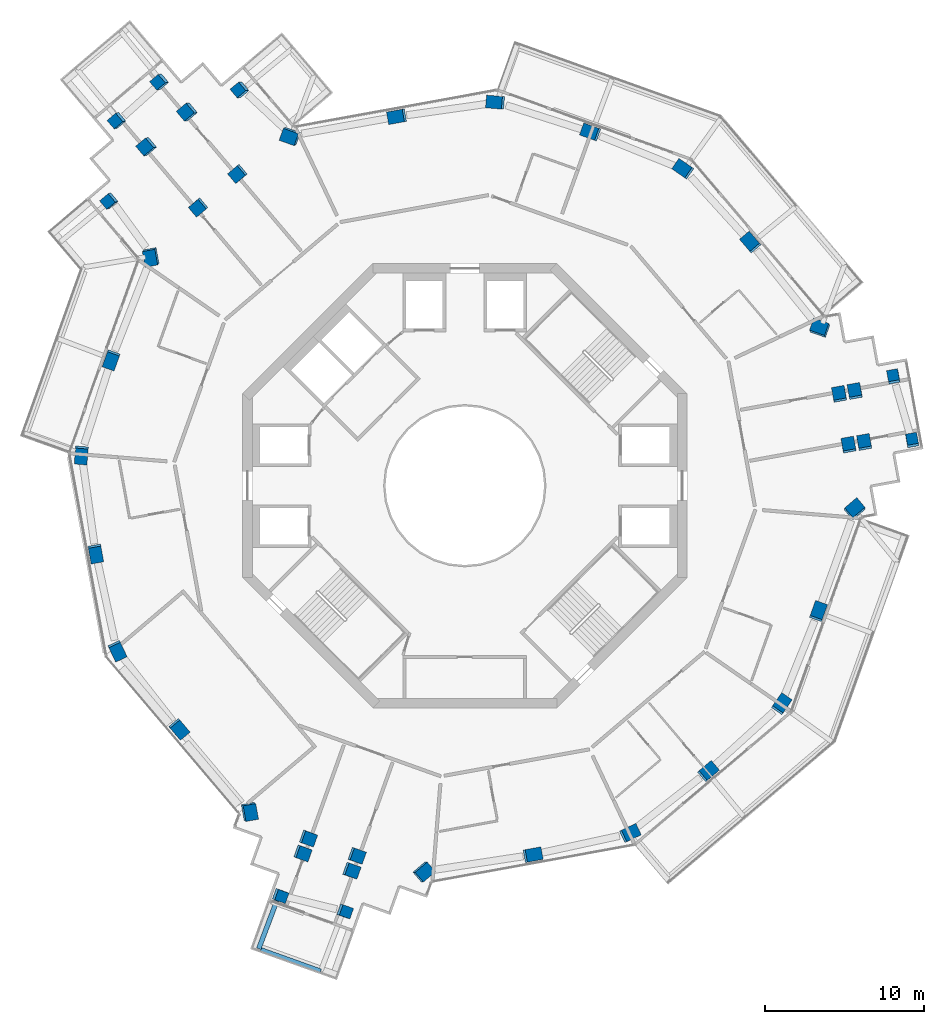
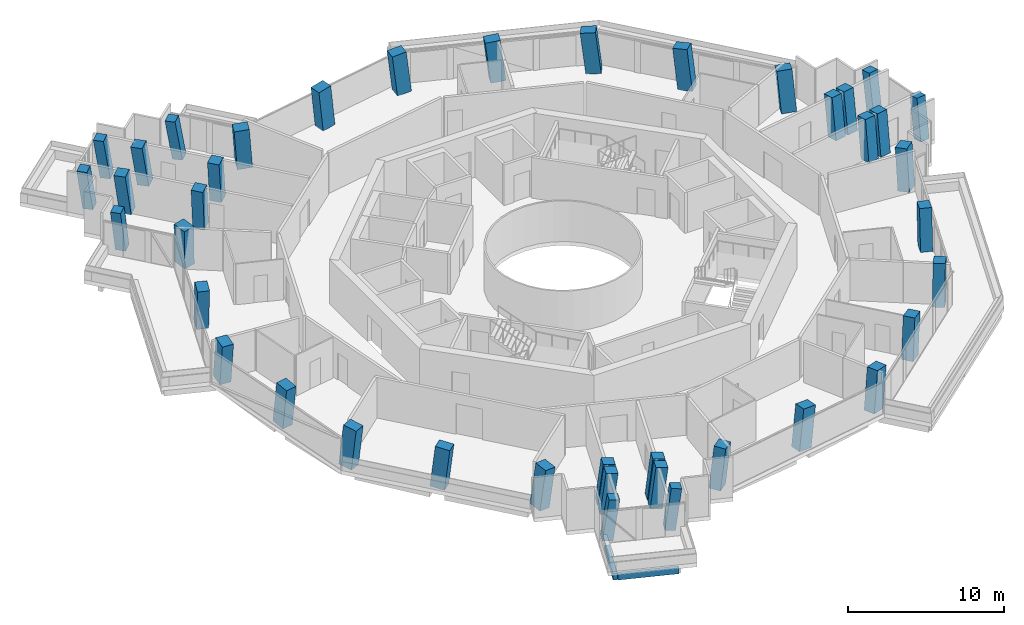
# One storey, part 1 of 21: 41 columns, 2 beams.
"""IFC4 building model written with IfcOpenShell, lengths in metres."""

import ifcopenshell
import ifcopenshell.guid

model = None  # the IFC model being written
_history = None  # IfcOwnerHistory: only IFC2X3 demands one
_inside = {}  # id of a spatial element -> (the spatial element, [elements in it])
_under = {}  # id of a project, library or spatial element -> (it, [spatial elements below it])
_declared = {}  # id of a project -> (the project, [libraries it declares])
_typed = {}  # id of a type object -> (the type object, [elements of that type])
_made_of = {}  # id of a material, layer set ... -> (it, [elements and type objects made of it])


def new_model(schema):
    """Start an empty IFC model of exactly this schema.

    Asked for "IFC4X3", IfcOpenShell would pick the latest addendum, in which some entities
    have other attributes; the version numbers below select the first issue.
    IFC2X3 requires an IfcOwnerHistory on every rooted entity: one is made here for all.
    """
    global model, _history
    if schema == "IFC4X3":
        model = ifcopenshell.file(schema_version=(4, 3, 0, 0))
    else:
        model = ifcopenshell.file(schema=schema)
    _inside.clear()
    _under.clear()
    _declared.clear()
    _typed.clear()
    _made_of.clear()
    _history = None
    if model.schema == "IFC2X3":
        org = make("IfcOrganization", Name="unknown")
        user = make(
            "IfcPersonAndOrganization",
            ThePerson=make("IfcPerson", FamilyName="unknown"),
            TheOrganization=org,
        )
        app = make(
            "IfcApplication",
            ApplicationDeveloper=org,
            Version="unknown",
            ApplicationFullName="unknown",
            ApplicationIdentifier="unknown",
        )
        _history = make(
            "IfcOwnerHistory",
            OwningUser=user,
            OwningApplication=app,
            ChangeAction="ADDED",
            CreationDate=0,
        )
    return model


def make(cls, **values):
    """One entity of the class cls with the attributes given. An attribute that is None is left unset."""
    return model.create_entity(
        cls, **{name: value for name, value in values.items() if value is not None}
    )


def rooted(cls, **values):
    """An entity with a GlobalId (a new one), such as an element, a storey or a relation."""
    return make(cls, GlobalId=ifcopenshell.guid.new(), OwnerHistory=_history, **values)


def si_unit(unit_type, name, prefix=None):
    """IfcSIUnit, for example si_unit("LENGTHUNIT", "METRE", prefix="MILLI")."""
    return make("IfcSIUnit", UnitType=unit_type, Prefix=prefix, Name=name)


def assignment(units):
    """IfcUnitAssignment: the units of a project."""
    return None if units is None else make("IfcUnitAssignment", Units=units)


def point(xyz):
    """IfcCartesianPoint."""
    return None if xyz is None else make("IfcCartesianPoint", Coordinates=xyz)


def direction(xyz):
    """IfcDirection."""
    return None if xyz is None else make("IfcDirection", DirectionRatios=xyz)


def frame(location, z_axis=None, x_axis=None):
    """IfcAxis2Placement3D, a coordinate frame: its origin and axes. An axis left out is left unset."""
    return make(
        "IfcAxis2Placement3D",
        Location=point(location),
        Axis=direction(z_axis),
        RefDirection=direction(x_axis),
    )


def frame_2d(location, x_axis=None):
    """IfcAxis2Placement2D, a coordinate frame in the plane: its origin and x axis."""
    return make(
        "IfcAxis2Placement2D", Location=point(location), RefDirection=direction(x_axis)
    )


def origin():
    """The frame at (0, 0, 0) with its axes left unset."""
    return frame((0.0, 0.0, 0.0))


def origin_2d():
    """The frame at (0, 0) in the plane with its x axis left unset."""
    return frame_2d((0.0, 0.0))


def place(relative_to, where):
    """IfcLocalPlacement: puts the frame where relative to a parent placement (None: the world)."""
    return make(
        "IfcLocalPlacement", PlacementRelTo=relative_to, RelativePlacement=where
    )


def context(
    kind, dimensions, precision=None, world=None, true_north=None, identifier=None
):
    """IfcGeometricRepresentationContext, for example the 3D "Model" context."""
    return make(
        "IfcGeometricRepresentationContext",
        ContextIdentifier=identifier,
        ContextType=kind,
        CoordinateSpaceDimension=dimensions,
        Precision=precision,
        WorldCoordinateSystem=world,
        TrueNorth=true_north,
    )


def subcontext(parent, identifier, kind, view, scale=None):
    """IfcGeometricRepresentationSubContext, for example "Body" below "Model"."""
    return make(
        "IfcGeometricRepresentationSubContext",
        ContextIdentifier=identifier,
        ContextType=kind,
        ParentContext=parent,
        TargetScale=scale,
        TargetView=view,
    )


def project(units=None, contexts=None):
    """IfcProject with its units and contexts."""
    return rooted(
        "IfcProject",
        Name="project",
        RepresentationContexts=contexts,
        UnitsInContext=assignment(units),
    )


def spatial(cls, under=None, at=None, **own):
    """A site, building, storey or space (cls), placed at a placement, below another one or the project."""
    s = rooted(cls, ObjectPlacement=at, **own)
    if under is not None:
        _under.setdefault(under.id(), (under, []))[1].append(s)
    return s


def profile(cls, at=None, kind="AREA", **sizes):
    """A parametric profile (cls). Its sizes go by their IFC names, for example OverallWidth=200.0."""
    return make(cls, ProfileType=kind, Position=at, **sizes)


def rectangle(**sizes):
    """IfcRectangleProfileDef."""
    return profile("IfcRectangleProfileDef", **sizes)


def extrude(swept, where, along, depth):
    """IfcExtrudedAreaSolid: the profile swept, set in the frame where, extruded along a direction by depth."""
    return make(
        "IfcExtrudedAreaSolid",
        SweptArea=swept,
        Position=where,
        ExtrudedDirection=direction(along),
        Depth=depth,
    )


def shape(context_of_items, identifier, shape_type, items):
    """IfcShapeRepresentation: the items that make up one representation, for example the "Body"."""
    return make(
        "IfcShapeRepresentation",
        ContextOfItems=context_of_items,
        RepresentationIdentifier=identifier,
        RepresentationType=shape_type,
        Items=items,
    )


def material(Name=None, Category=None):
    """IfcMaterial."""
    return make("IfcMaterial", Name=Name, Category=Category)


def material_profile(
    of_material, cross_section, Name=None, Category=None, Priority=None
):
    """IfcMaterialProfile: a cross section and its material."""
    return make(
        "IfcMaterialProfile",
        Name=Name,
        Material=of_material,
        Profile=cross_section,
        Priority=Priority,
        Category=Category,
    )


def profile_set(profiles, Name=None, composite=None):
    """IfcMaterialProfileSet."""
    return make(
        "IfcMaterialProfileSet",
        Name=Name,
        MaterialProfiles=profiles,
        CompositeProfile=composite,
    )


def made_of(thing, what):
    """Note that an element or type object is made of a material, layer set ...; save() writes the relation."""
    if what is not None:
        _made_of.setdefault(what.id(), (what, []))[1].append(thing)
    return thing


def type_object(cls, material=None, **own):
    """A type object (cls), such as IfcWallType, which elements share."""
    return made_of(rooted(cls, **own), material)


def element(
    cls,
    number,
    at=None,
    inside=None,
    cuts=None,
    type_object=None,
    material=None,
    context=None,
    identifier="Body",
    shape_type=None,
    held_by="IfcProductDefinitionShape",
    body=None,
    shapes=None,
    **own,
):
    """One element of the class cls, such as IfcWall. Its Tag is "e" and its number.

    at: its placement. inside: the storey or other place that contains it. cuts: it is an
    opening in that element (IfcRelVoidsElement). A single representation is given by context,
    identifier, shape_type and body (its items); several are given by shapes. held_by: the class
    of the entity that holds the representations. save() writes the other relations.
    """
    e = rooted(cls, Tag="e%d" % number, ObjectPlacement=at, **own)
    if body is not None:
        shapes = [shape(context, identifier, shape_type, body)]
    if shapes is not None:
        e.Representation = make(held_by, Representations=shapes)
    if inside is not None:
        _inside.setdefault(inside.id(), (inside, []))[1].append(e)
    if cuts is not None:
        rooted(
            "IfcRelVoidsElement", RelatingBuildingElement=cuts, RelatedOpeningElement=e
        )
    if type_object is not None:
        _typed.setdefault(type_object.id(), (type_object, []))[1].append(e)
    return made_of(e, material)


def aggregate(whole, parts):
    """IfcRelAggregates: a whole, such as a stair, and the parts it consists of."""
    return rooted("IfcRelAggregates", RelatingObject=whole, RelatedObjects=parts)


def save(model, path):
    """Write the relations noted so far, then the file.

    IfcRelAggregates (storeys below a building ...), IfcRelContainedInSpatialStructure (elements
    in a storey), IfcRelDefinesByType, IfcRelAssociatesMaterial and IfcRelDeclares: one each for
    every whole, place, type object, material and project.
    """
    for whole, parts in _under.values():
        aggregate(whole, parts)
    for where, things in _inside.values():
        rooted(
            "IfcRelContainedInSpatialStructure",
            RelatedElements=things,
            RelatingStructure=where,
        )
    for kind, things in _typed.values():
        rooted("IfcRelDefinesByType", RelatedObjects=things, RelatingType=kind)
    for what, things in _made_of.values():
        rooted("IfcRelAssociatesMaterial", RelatedObjects=things, RelatingMaterial=what)
    for by, libraries in _declared.values():
        rooted("IfcRelDeclares", RelatingContext=by, RelatedDefinitions=libraries)
    model.write(path)


model = new_model("IFC4")

# Units and contexts
model_context = context("Model", 3, precision=1e-05, world=origin(), true_north=direction((0.0, 1.0)))
body_context = subcontext(model_context, "Body", "Model", "MODEL_VIEW")
ifc_project = project(units=[si_unit("LENGTHUNIT", "METRE"), si_unit("AREAUNIT", "SQUARE_METRE"), si_unit("VOLUMEUNIT", "CUBIC_METRE"), si_unit("PLANEANGLEUNIT", "RADIAN"), si_unit("MASSUNIT", "GRAM", prefix="KILO")], contexts=[model_context])

# Site, building, storey
site_placement = place(None, origin())
site = spatial("IfcSite", under=ifc_project, at=site_placement, CompositionType="ELEMENT")
building_placement = place(site_placement, origin())
building = spatial("IfcBuilding", under=site, at=building_placement, Name="Verdalira Terraces Hotel", CompositionType="ELEMENT")
storey_placement = place(building_placement, frame((0.0, 0.0, 197.5)))
storey = spatial("IfcBuildingStorey", under=building, at=storey_placement, Name="L48", CompositionType="ELEMENT", Elevation=197.5)

# Columns
ifc_material_1 = material(Name="Concrete C60", Category="concrete")
ifc_material_profile_1 = material_profile(ifc_material_1, rectangle(XDim=1.0, YDim=0.800049, at=origin_2d()), Name="RC 1000X800")
ifc_profile_set_1 = profile_set([ifc_material_profile_1], Name="Concrete C60")
column_type_1 = type_object("IfcColumnType", Name="Column RC 1000X800 C60", PredefinedType="COLUMN", material=ifc_profile_set_1)
column_1_placement = place(storey_placement, frame((-19.766357, 14.451172, 0.0), z_axis=(-0.067880715, -0.094561713, 0.993202039), x_axis=(-0.18554858, 0.979327278, 0.080559334)))
element("IfcColumn", 1, at=column_1_placement, inside=storey, type_object=column_type_1, Name="Column C03", PredefinedType="COLUMN", context=body_context, shape_type="SweptSolid", body=[
    extrude(rectangle(XDim=1.0, YDim=0.800049, at=origin_2d()), origin(), (0.0, 0.0, 1.0), 3.21167),
])
column_2_placement = place(storey_placement, frame((-22.276367, 7.967285, 0.0), z_axis=(-0.037035652, -0.106239847, 0.99365057), x_axis=(-0.33503593, -0.935464206, -0.112506199)))
element("IfcColumn", 2, at=column_2_placement, inside=storey, type_object=column_type_1, Name="Column C04", PredefinedType="COLUMN", context=body_context, shape_type="SweptSolid", body=[
    extrude(rectangle(XDim=1.0, YDim=0.800049, at=origin_2d()), origin(), (0.0, 0.0, 1.0), 3.210205),
])
column_3_placement = place(storey_placement, frame((-24.173828, 1.979004, 0.0), z_axis=(-0.008514659, -0.115023924, 0.993326229), x_axis=(0.08173816, 0.989957987, 0.115334541)))
element("IfcColumn", 3, at=column_3_placement, inside=storey, type_object=column_type_1, Name="Column C05", PredefinedType="COLUMN", context=body_context, shape_type="SweptSolid", body=[
    extrude(rectangle(XDim=1.0, YDim=0.800049, at=origin_2d()), origin(), (0.0, 0.0, 1.0), 3.211426),
])
column_4_placement = place(storey_placement, frame((-23.275635, -4.238281, 0.0), z_axis=(0.021065327, -0.110573955, 0.993644631), x_axis=(0.177664557, -0.977632783, -0.112558637)))
element("IfcColumn", 4, at=column_4_placement, inside=storey, type_object=column_type_1, Name="Column C06", PredefinedType="COLUMN", context=body_context, shape_type="SweptSolid", body=[
    extrude(rectangle(XDim=1.0, YDim=0.800049, at=origin_2d()), origin(), (0.0, 0.0, 1.0), 3.210449),
])
column_5_placement = place(storey_placement, frame((-21.924805, -10.373047, 0.0), z_axis=(0.050251525, -0.103848084, 0.993322888), x_axis=(-0.425063091, 0.897782086, 0.115363312)))
element("IfcColumn", 5, at=column_5_placement, inside=storey, type_object=column_type_1, Name="Column C07", PredefinedType="COLUMN", context=body_context, shape_type="SweptSolid", body=[
    extrude(rectangle(XDim=1.0, YDim=0.800049, at=origin_2d()), origin(), (0.0, 0.0, 1.0), 3.211426),
])
column_6_placement = place(storey_placement, frame((-18.038086, -15.30835, 0.0), z_axis=(0.073538813, -0.085174219, 0.993648527), x_axis=(0.642958445, -0.757590083, -0.112524239)))
element("IfcColumn", 6, at=column_6_placement, inside=storey, type_object=column_type_1, Name="Column C08", PredefinedType="COLUMN", context=body_context, shape_type="SweptSolid", body=[
    extrude(rectangle(XDim=1.0, YDim=0.800049, at=origin_2d()), origin(), (0.0, 0.0, 1.0), 3.210449),
])
column_7_placement = place(storey_placement, frame((-13.608154, -20.52832, 0.0), z_axis=(0.098126644, -0.063846925, 0.993123724), x_axis=(-0.171981276, 0.98183714, 0.080114115)))
element("IfcColumn", 7, at=column_7_placement, inside=storey, type_object=column_type_1, Name="Column C09", PredefinedType="COLUMN", context=body_context, shape_type="SweptSolid", body=[
    extrude(rectangle(XDim=1.0, YDim=0.800049, at=origin_2d()), origin(), (0.0, 0.0, 1.0), 3.211914),
])
column_8_placement = place(storey_placement, frame((-2.631836, -24.343506, 0.0), z_axis=(0.115845467, -0.011554141, 0.993200045), x_axis=(-0.755609822, -0.650047762, 0.080571109)))
element("IfcColumn", 8, at=column_8_placement, inside=storey, type_object=column_type_1, Name="Column C12", PredefinedType="COLUMN", context=body_context, shape_type="SweptSolid", body=[
    extrude(rectangle(XDim=1.0, YDim=0.800049, at=origin_2d()), origin(), (0.0, 0.0, 1.0), 3.21167),
])
column_9_placement = place(storey_placement, frame((4.238281, -23.275635, 0.0), z_axis=(0.110573955, 0.021065327, 0.993644631), x_axis=(0.977632783, 0.177664557, -0.112558637)))
element("IfcColumn", 9, at=column_9_placement, inside=storey, type_object=column_type_1, Name="Column C13", PredefinedType="COLUMN", context=body_context, shape_type="SweptSolid", body=[
    extrude(rectangle(XDim=1.0, YDim=0.800049, at=origin_2d()), origin(), (0.0, 0.0, 1.0), 3.210449),
])
column_10_placement = place(storey_placement, frame((10.373047, -21.924805, 0.0), z_axis=(0.103848084, 0.050251525, 0.993322888), x_axis=(-0.897782086, -0.425063091, 0.115363312)))
element("IfcColumn", 10, at=column_10_placement, inside=storey, type_object=column_type_1, Name="Column C14", PredefinedType="COLUMN", context=body_context, shape_type="SweptSolid", body=[
    extrude(rectangle(XDim=1.0, YDim=0.800049, at=origin_2d()), origin(), (0.0, 0.0, 1.0), 3.211426),
])
column_11_placement = place(storey_placement, frame((15.30835, -18.038086, 0.0), z_axis=(0.085174219, 0.073538813, 0.993648527), x_axis=(0.757590083, 0.642958445, -0.112524239)))
element("IfcColumn", 11, at=column_11_placement, inside=storey, type_object=column_type_1, Name="Column C15", PredefinedType="COLUMN", context=body_context, shape_type="SweptSolid", body=[
    extrude(rectangle(XDim=1.0, YDim=0.800049, at=origin_2d()), origin(), (0.0, 0.0, 1.0), 3.210449),
])
column_12_placement = place(storey_placement, frame((19.945801, -13.800781, 0.0), z_axis=(0.064772376, 0.095410014, 0.99332848), x_axis=(-0.56488901, -0.817069655, 0.115315158)))
element("IfcColumn", 12, at=column_12_placement, inside=storey, type_object=column_type_1, Name="Column C16", PredefinedType="COLUMN", context=body_context, shape_type="SweptSolid", body=[
    extrude(rectangle(XDim=1.0, YDim=0.800049, at=origin_2d()), origin(), (0.0, 0.0, 1.0), 3.211426),
])
column_13_placement = place(storey_placement, frame((22.276367, -7.967285, 0.0), z_axis=(0.037035652, 0.106239847, 0.99365057), x_axis=(0.33503593, 0.935464206, -0.112506199)))
element("IfcColumn", 13, at=column_13_placement, inside=storey, type_object=column_type_1, Name="Column C17", PredefinedType="COLUMN", context=body_context, shape_type="SweptSolid", body=[
    extrude(rectangle(XDim=1.0, YDim=0.800049, at=origin_2d()), origin(), (0.0, 0.0, 1.0), 3.210205),
])
for number, where, z_axis, x_axis, name in (
    (14, (24.582031, -1.520752, 0.0), (0.006232678, 0.116900718, 0.993124049), (-0.764322175, -0.639838763, 0.080112233), "Column C18"),
    (15, (22.398193, 9.892578, 0.0), (-0.047964708, 0.106115266, 0.993196324), (0.940870573, -0.329039999, 0.080593079), "Column C21"),
):
    element("IfcColumn", number, at=place(storey_placement, frame(where, z_axis=z_axis, x_axis=x_axis)), inside=storey, type_object=column_type_1, Name=name, PredefinedType="COLUMN", context=body_context, shape_type="SweptSolid", body=[
        extrude(rectangle(XDim=1.0, YDim=0.800049, at=origin_2d()), origin(), (0.0, 0.0, 1.0), 3.211914),
    ])
column_14_placement = place(storey_placement, frame((18.038086, 15.30835, 0.0), z_axis=(-0.073538813, 0.085174219, 0.993648527), x_axis=(-0.642958445, 0.757590083, -0.112524239)))
element("IfcColumn", 16, at=column_14_placement, inside=storey, type_object=column_type_1, Name="Column C22", PredefinedType="COLUMN", context=body_context, shape_type="SweptSolid", body=[
    extrude(rectangle(XDim=1.0, YDim=0.800049, at=origin_2d()), origin(), (0.0, 0.0, 1.0), 3.210449),
])
column_15_placement = place(storey_placement, frame((13.800781, 19.945801, 0.0), z_axis=(-0.095410014, 0.064772376, 0.99332848), x_axis=(0.817069655, -0.56488901, 0.115315158)))
element("IfcColumn", 17, at=column_15_placement, inside=storey, type_object=column_type_1, Name="Column C23", PredefinedType="COLUMN", context=body_context, shape_type="SweptSolid", body=[
    extrude(rectangle(XDim=1.0, YDim=0.800049, at=origin_2d()), origin(), (0.0, 0.0, 1.0), 3.211426),
])
column_16_placement = place(storey_placement, frame((7.967285, 22.276367, 0.0), z_axis=(-0.106239847, 0.037035652, 0.99365057), x_axis=(-0.935464206, 0.33503593, -0.112506199)))
element("IfcColumn", 18, at=column_16_placement, inside=storey, type_object=column_type_1, Name="Column C24", PredefinedType="COLUMN", context=body_context, shape_type="SweptSolid", body=[
    extrude(rectangle(XDim=1.0, YDim=0.800049, at=origin_2d()), origin(), (0.0, 0.0, 1.0), 3.210205),
])
column_17_placement = place(storey_placement, frame((1.979004, 24.173828, 0.0), z_axis=(-0.115023924, 0.008514659, 0.993326229), x_axis=(0.989957987, -0.08173816, 0.115334541)))
element("IfcColumn", 19, at=column_17_placement, inside=storey, type_object=column_type_1, Name="Column C25", PredefinedType="COLUMN", context=body_context, shape_type="SweptSolid", body=[
    extrude(rectangle(XDim=1.0, YDim=0.800049, at=origin_2d()), origin(), (0.0, 0.0, 1.0), 3.211426),
])
column_18_placement = place(storey_placement, frame((-4.238281, 23.275635, 0.0), z_axis=(-0.110573955, -0.021065327, 0.993644631), x_axis=(-0.977632783, -0.177664557, -0.112558637)))
element("IfcColumn", 20, at=column_18_placement, inside=storey, type_object=column_type_1, Name="Column C26", PredefinedType="COLUMN", context=body_context, shape_type="SweptSolid", body=[
    extrude(rectangle(XDim=1.0, YDim=0.800049, at=origin_2d()), origin(), (0.0, 0.0, 1.0), 3.210449),
])
column_19_placement = place(storey_placement, frame((-10.973877, 22.049072, 0.0), z_axis=(-0.104359304, -0.053053747, 0.993123575), x_axis=(0.936274883, -0.342010136, 0.080114981)))
element("IfcColumn", 21, at=column_19_placement, inside=storey, type_object=column_type_1, Name="Column C27", PredefinedType="COLUMN", context=body_context, shape_type="SweptSolid", body=[
    extrude(rectangle(XDim=1.0, YDim=0.800049, at=origin_2d()), origin(), (0.0, 0.0, 1.0), 3.211914),
])
ifc_material_2 = material(Name="Concrete C60", Category="concrete")
ifc_material_profile_2 = material_profile(ifc_material_2, rectangle(XDim=0.699951, YDim=0.699951, at=origin_2d()), Name="RC 700X700")
ifc_profile_set_2 = profile_set([ifc_material_profile_2], Name="Concrete C60")
column_type_2 = type_object("IfcColumnType", Name="Column RC 700X700 C60", PredefinedType="COLUMN", material=ifc_profile_set_2)
column_20_placement = place(storey_placement, frame((-14.096924, 24.956299, 0.0), z_axis=(-0.172191851, -0.0047496, 0.985051982), x_axis=(-0.632267649, 0.767350215, -0.10682353)))
element("IfcColumn", 22, at=column_20_placement, inside=storey, type_object=column_type_2, Name="Column C01", PredefinedType="COLUMN", context=body_context, shape_type="SweptSolid", body=[
    extrude(rectangle(XDim=0.699951, YDim=0.699951, at=origin_2d()), origin(), (0.0, 0.0, 1.0), 3.238281),
])
column_21_placement = place(storey_placement, frame((-22.359619, 17.970459, 0.0), z_axis=(-0.139537637, -0.043610244, 0.98925598), x_axis=(0.64016149, -0.766158327, 0.056521539)))
element("IfcColumn", 23, at=column_21_placement, inside=storey, type_object=column_type_2, Name="Column C02", PredefinedType="COLUMN", context=body_context, shape_type="SweptSolid", body=[
    extrude(rectangle(XDim=0.699951, YDim=0.699951, at=origin_2d()), origin(), (0.0, 0.0, 1.0), 3.224609),
])
column_22_placement = place(storey_placement, frame((-11.682129, -25.833008, 0.0), z_axis=(0.123010608, -0.054452291, 0.990910358), x_axis=(0.933381636, -0.332865813, -0.13416062)))
element("IfcColumn", 24, at=column_22_placement, inside=storey, type_object=column_type_2, Name="Column C10", PredefinedType="COLUMN", context=body_context, shape_type="SweptSolid", body=[
    extrude(rectangle(XDim=0.699951, YDim=0.699951, at=origin_2d()), origin(), (0.0, 0.0, 1.0), 3.219238),
])
column_23_placement = place(storey_placement, frame((-7.616943, -26.819824, 0.0), z_axis=(0.127599048, -0.035048014, 0.991206396), x_axis=(0.933002805, -0.334807873, -0.131944892)))
element("IfcColumn", 25, at=column_23_placement, inside=storey, type_object=column_type_2, Name="Column C11", PredefinedType="COLUMN", context=body_context, shape_type="SweptSolid", body=[
    extrude(rectangle(XDim=0.699951, YDim=0.699951, at=origin_2d()), origin(), (0.0, 0.0, 1.0), 3.218262),
])
column_24_placement = place(storey_placement, frame((28.213135, 2.799561, 0.0), z_axis=(-0.014333646, 0.133704853, 0.990917534), x_axis=(-0.178356064, 0.974784174, -0.134107898)))
element("IfcColumn", 26, at=column_24_placement, inside=storey, type_object=column_type_2, Name="Column C19", PredefinedType="COLUMN", context=body_context, shape_type="SweptSolid", body=[
    extrude(rectangle(XDim=0.699951, YDim=0.699951, at=origin_2d()), origin(), (0.0, 0.0, 1.0), 3.219238),
])
column_25_placement = place(storey_placement, frame((27.035156, 6.813477, 0.0), z_axis=(-0.033455127, 0.127979135, 0.991212437), x_axis=(-0.176699521, 0.975386965, -0.131899763)))
element("IfcColumn", 27, at=column_25_placement, inside=storey, type_object=column_type_2, Name="Column C20", PredefinedType="COLUMN", context=body_context, shape_type="SweptSolid", body=[
    extrude(rectangle(XDim=0.699951, YDim=0.699951, at=origin_2d()), origin(), (0.0, 0.0, 1.0), 3.218262),
])
column_26_placement = place(storey_placement, frame((-19.163086, 25.470459, 0.0), z_axis=(-0.174242677, -0.028626121, 0.984286561), x_axis=(-0.74458602, -0.650287985, -0.150722248)))
element("IfcColumn", 28, at=column_26_placement, inside=storey, type_object=column_type_2, Name="Column C28", PredefinedType="COLUMN", context=body_context, shape_type="SweptSolid", body=[
    extrude(rectangle(XDim=0.699951, YDim=0.699951, at=origin_2d()), origin(), (0.0, 0.0, 1.0), 3.240967),
])
column_27_placement = place(storey_placement, frame((-21.859619, 23.037598, 0.0), z_axis=(-0.162961947, -0.041268604, 0.985768891), x_axis=(-0.746469006, -0.648168592, -0.15053737)))
element("IfcColumn", 29, at=column_27_placement, inside=storey, type_object=column_type_2, Name="Column C29", PredefinedType="COLUMN", context=body_context, shape_type="SweptSolid", body=[
    extrude(rectangle(XDim=0.699951, YDim=0.699951, at=origin_2d()), origin(), (0.0, 0.0, 1.0), 3.236084),
])
ifc_material_3 = material(Name="Concrete C60", Category="concrete")
ifc_material_profile_3 = material_profile(ifc_material_3, rectangle(XDim=0.800049, YDim=0.800049, at=origin_2d()), Name="RC 800X800")
ifc_profile_set_3 = profile_set([ifc_material_profile_3], Name="Concrete C60")
column_type_3 = type_object("IfcColumnType", Name="Column RC 800X800 C60", PredefinedType="COLUMN", material=ifc_profile_set_3)
for number, where, z_axis, x_axis, name in (
    (30, (-14.281006, 19.696777, 0.0), (-0.093125232, -0.068646599, 0.993285123), (-0.645967194, 0.763325232, -0.007808597), "Column C30"),
    (31, (-16.763916, 17.5896, 0.0), (-0.083016008, -0.080355239, 0.993303266), (-0.647227937, 0.762258922, 0.007571925), "Column C31"),
):
    element("IfcColumn", number, at=place(storey_placement, frame(where, z_axis=z_axis, x_axis=x_axis)), inside=storey, type_object=column_type_3, Name=name, PredefinedType="COLUMN", context=body_context, shape_type="SweptSolid", body=[
        extrude(rectangle(XDim=0.800049, YDim=0.800049, at=origin_2d()), origin(), (0.0, 0.0, 1.0), 3.211426),
    ])
column_28_placement = place(storey_placement, frame((-17.423096, 23.576172, 0.0), z_axis=(-0.165710757, -0.020374273, 0.985963911), x_axis=(-0.634516952, 0.767559025, -0.090782052)))
element("IfcColumn", 32, at=column_28_placement, inside=storey, type_object=column_type_3, Name="Column C32", PredefinedType="COLUMN", context=body_context, shape_type="SweptSolid", body=[
    extrude(rectangle(XDim=0.800049, YDim=0.800049, at=origin_2d()), origin(), (0.0, 0.0, 1.0), 3.235352),
])
column_29_placement = place(storey_placement, frame((-19.993408, 21.39502, 0.0), z_axis=(-0.155507711, -0.032491893, 0.987300172), x_axis=(-0.637227567, 0.767005245, -0.075126441)))
element("IfcColumn", 33, at=column_29_placement, inside=storey, type_object=column_type_3, Name="Column C33", PredefinedType="COLUMN", context=body_context, shape_type="SweptSolid", body=[
    extrude(rectangle(XDim=0.800049, YDim=0.800049, at=origin_2d()), origin(), (0.0, 0.0, 1.0), 3.230957),
])
for number, where, z_axis, x_axis, name in (
    (34, (-9.91748, -22.216309, 0.0), (0.106048839, -0.046220569, 0.993286113), (-0.337173939, -0.94140999, -0.007808023), "Column C34"),
    (35, (-6.851318, -23.312744, 0.0), (0.111143623, -0.03170102, 0.993298616), (-0.336298445, -0.941725004, 0.007574545), "Column C35"),
):
    element("IfcColumn", number, at=place(storey_placement, frame(where, z_axis=z_axis, x_axis=x_axis)), inside=storey, type_object=column_type_3, Name=name, PredefinedType="COLUMN", context=body_context, shape_type="SweptSolid", body=[
        extrude(rectangle(XDim=0.800049, YDim=0.800049, at=origin_2d()), origin(), (0.0, 0.0, 1.0), 3.211426),
    ])
column_30_placement = place(storey_placement, frame((-10.27002, -23.1521, 0.0), z_axis=(0.110471725, -0.047866015, 0.992725966), x_axis=(-0.337404744, -0.94132702, -0.007840925)))
element("IfcColumn", 36, at=column_30_placement, inside=storey, type_object=column_type_3, Name="Column C36", PredefinedType="COLUMN", context=body_context, shape_type="SweptSolid", body=[
    extrude(rectangle(XDim=0.800049, YDim=0.800049, at=origin_2d()), origin(), (0.0, 0.0, 1.0), 3.213379),
])
column_31_placement = place(storey_placement, frame((-7.187988, -24.254395, 0.0), z_axis=(0.115564441, -0.033202933, 0.992744894), x_axis=(-0.335931803, -0.941855612, 0.007604574)))
element("IfcColumn", 37, at=column_31_placement, inside=storey, type_object=column_type_3, Name="Column C37", PredefinedType="COLUMN", context=body_context, shape_type="SweptSolid", body=[
    extrude(rectangle(XDim=0.800049, YDim=0.800049, at=origin_2d()), origin(), (0.0, 0.0, 1.0), 3.213135),
])
for number, where, z_axis, x_axis, name in (
    (38, (24.198486, 2.519287, 0.0), (-0.012923426, 0.115018487, 0.993279282), (0.983995113, 0.178024131, -0.007811981), "Column C38"),
    (39, (23.61499, 5.723145, 0.0), (-0.028128146, 0.112056451, 0.993303659), (0.983673771, 0.179801504, 0.007571704), "Column C39"),
):
    element("IfcColumn", number, at=place(storey_placement, frame(where, z_axis=z_axis, x_axis=x_axis)), inside=storey, type_object=column_type_3, Name=name, PredefinedType="COLUMN", context=body_context, shape_type="SweptSolid", body=[
        extrude(rectangle(XDim=0.800049, YDim=0.800049, at=origin_2d()), origin(), (0.0, 0.0, 1.0), 3.211426),
    ])
column_32_placement = place(storey_placement, frame((25.185303, 2.681885, 0.0), z_axis=(-0.013751888, 0.11966422, 0.992719175), x_axis=(0.983970963, 0.17815613, -0.007844571)))
element("IfcColumn", 40, at=column_32_placement, inside=storey, type_object=column_type_3, Name="Column C40", PredefinedType="COLUMN", context=body_context, shape_type="SweptSolid", body=[
    extrude(rectangle(XDim=0.800049, YDim=0.800049, at=origin_2d()), origin(), (0.0, 0.0, 1.0), 3.213379),
])
column_33_placement = place(storey_placement, frame((24.598877, 5.902344, 0.0), z_axis=(-0.029024263, 0.116628912, 0.992751373), x_axis=(0.983622156, 0.180082416, 0.007601191)))
element("IfcColumn", 41, at=column_33_placement, inside=storey, type_object=column_type_3, Name="Column C41", PredefinedType="COLUMN", context=body_context, shape_type="SweptSolid", body=[
    extrude(rectangle(XDim=0.800049, YDim=0.800049, at=origin_2d()), origin(), (0.0, 0.0, 1.0), 3.213135),
])

# Beams
ifc_material_4 = material(Name="Concrete C40", Category="concrete")
ifc_material_profile_4 = material_profile(ifc_material_4, rectangle(XDim=0.300049, YDim=0.5, at=origin_2d()), Name="RC 300X500")
ifc_profile_set_4 = profile_set([ifc_material_profile_4], Name="Concrete C40")
beam_type_1 = type_object("IfcBeamType", Name="Balcony cantilever beam RC 300X500 C40", PredefinedType="BEAM", material=ifc_profile_set_4)
beam_1_placement = place(storey_placement, frame((-11.84375, -26.143066, -0.560059), z_axis=(-0.35245499, -0.935828766, 0.0), x_axis=(0.935828766, -0.35245499, 0.0)))
element("IfcBeam", 42, at=beam_1_placement, inside=storey, type_object=beam_type_1, Name="Balcony cantilever beam R19-1", PredefinedType="BEAM", context=body_context, shape_type="SweptSolid", body=[
    extrude(rectangle(XDim=0.300049, YDim=0.5, at=origin_2d()), origin(), (0.0, 0.0, 1.0), 3.25415),
])
ifc_material_5 = material(Name="Concrete C40", Category="concrete")
ifc_material_profile_5 = material_profile(ifc_material_5, rectangle(XDim=0.25, YDim=0.449951, at=origin_2d()), Name="RC 250X450")
ifc_profile_set_5 = profile_set([ifc_material_profile_5], Name="Concrete C40")
beam_type_2 = type_object("IfcBeamType", Name="Balcony edge beam RC 250X450 C40", PredefinedType="BEAM", material=ifc_profile_set_5)
beam_2_placement = place(storey_placement, frame((-12.849609, -29.239014, -0.534912), z_axis=(0.941592809, -0.336753594, 0.0), x_axis=(0.336753594, 0.941592809, 0.0)))
element("IfcBeam", 43, at=beam_2_placement, inside=storey, type_object=beam_type_2, Name="Balcony edge beam R19-1", PredefinedType="BEAM", context=body_context, shape_type="SweptSolid", body=[
    extrude(rectangle(XDim=0.25, YDim=0.449951, at=origin_2d()), origin(), (0.0, 0.0, 1.0), 4.003418),
])

save(model, "model.ifc")
